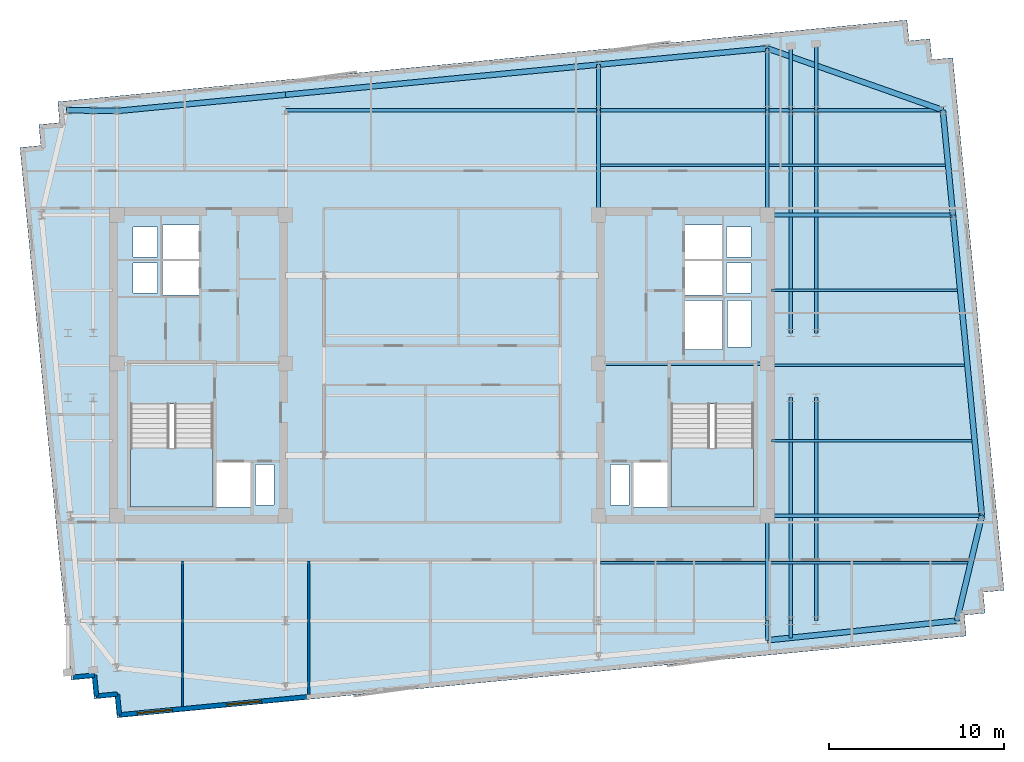
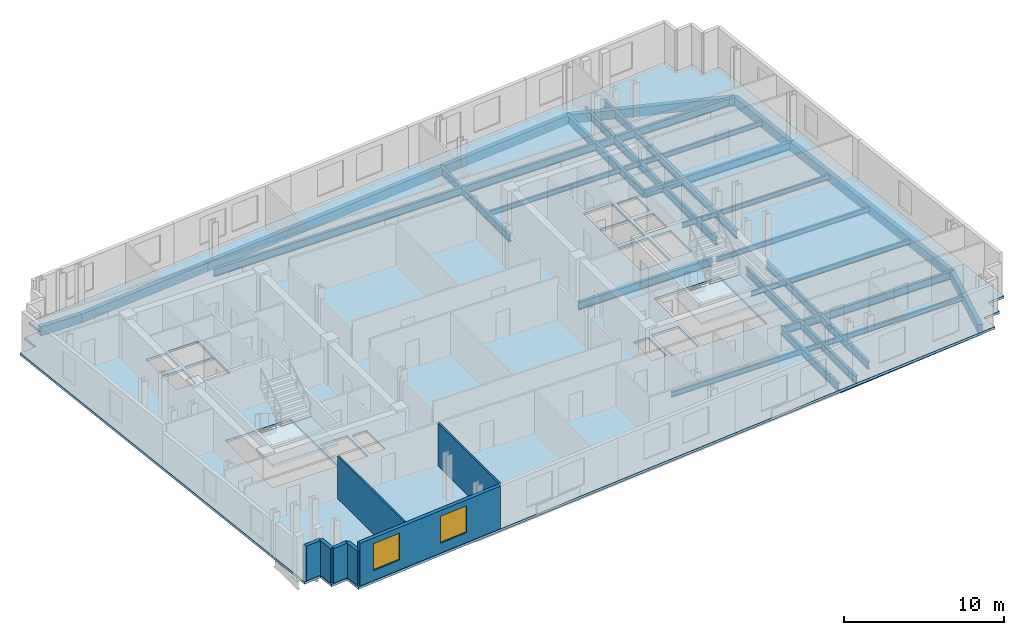
# One storey, part 2 of 9: 35 beams, 7 walls, 3 slabs, 2 windows, 2 openings, 2 elements without a shape of their own.
"""IFC4 building model written with IfcOpenShell, lengths in metres."""

from ifc_helpers import new_model, si_unit, direction, frame, frame_2d, origin, origin_2d, place, context, subcontext, project, spatial, polyline, rectangle, i_section, outline, extrude, material, layer, layer_set, material_profile, profile_set, type_object, element, fill, aggregate, save


model = new_model("IFC4")

# Units and contexts
model_context = context("Model", 3, precision=1e-05, world=origin(), true_north=direction((0.0, 1.0)))
body_context = subcontext(model_context, "Body", "Model", "MODEL_VIEW")
ifc_project = project(units=[si_unit("LENGTHUNIT", "METRE"), si_unit("AREAUNIT", "SQUARE_METRE"), si_unit("VOLUMEUNIT", "CUBIC_METRE"), si_unit("PLANEANGLEUNIT", "RADIAN"), si_unit("MASSUNIT", "GRAM", prefix="KILO")], contexts=[model_context])

# Site, building, storey
site_placement = place(None, origin())
site = spatial("IfcSite", under=ifc_project, at=site_placement, CompositionType="ELEMENT")
building_placement = place(site_placement, origin())
building = spatial("IfcBuilding", under=site, at=building_placement, Name="Velakula Bourse", CompositionType="ELEMENT")
storey_placement = place(building_placement, frame((0.0, 0.0, 268.949951171875)))
storey = spatial("IfcBuildingStorey", under=building, at=storey_placement, Name="L73", CompositionType="ELEMENT", Elevation=268.949951171875)

# Beams
ifc_material_1 = material(Name="Steel IS 2062 Grade 350 (E350)", Category="steel")
ifc_material_profile_1 = material_profile(ifc_material_1, i_section(OverallWidth=0.2099609375, OverallDepth=0.60009765625, WebThickness=0.011962890625, FlangeThickness=0.020751953125, at=origin_2d()), Name="Steel IS 2062 Grade 350 (E350)")
ifc_profile_set_1 = profile_set([ifc_material_profile_1], Name="Steel IS 2062 Grade 350 (E350)")
beam_type_1 = type_object("IfcBeamType", Name="BM-GRD-600L", PredefinedType="BEAM", material=ifc_profile_set_1)
beam_1_placement = place(storey_placement, frame((8.949951171875, 0.10009765625, -0.47998046875), z_axis=(1.0, 0.0, 0.0), x_axis=(0.0, 1.0, 0.0)))
element("IfcBeam", 1, at=beam_1_placement, inside=storey, type_object=beam_type_1, Name="L73 Primary Backbone Girder CRE-M", PredefinedType="BEAM", context=body_context, shape_type="SweptSolid", body=[
    extrude(i_section(OverallWidth=0.2099609375, OverallDepth=0.60009765625, WebThickness=0.011962890625, FlangeThickness=0.020751953125, at=origin_2d()), origin(), (0.0, 0.0, 1.0), 9.650146484375),
])
for number, where, z_axis, x_axis, name in (
    (2, (8.949951171875, 8.60009765625, -0.47998046875), (0.0, 1.0, 0.0), (-1.0, 0.0, 0.0), "L73 Fulcrum Grid Girder FLC-ECN"),
    (3, (18.60009765625, -14.60009765625, -0.47998046875), (0.0, 1.0, 0.0), (-1.0, 0.0, 0.0), "L73 Fulcrum Grid Girder FLC-ES"),
    (4, (18.60009765625, 8.60009765625, -0.47998046875), (0.0, 1.0, 0.0), (-1.0, 0.0, 0.0), "L73 Fulcrum Grid Girder FLC-EN"),
):
    element("IfcBeam", number, at=place(storey_placement, frame(where, z_axis=z_axis, x_axis=x_axis)), inside=storey, type_object=beam_type_1, Name=name, PredefinedType="BEAM", context=body_context, shape_type="SweptSolid", body=[
        extrude(i_section(OverallWidth=0.2099609375, OverallDepth=0.60009765625, WebThickness=0.011962890625, FlangeThickness=0.020751953125, at=origin_2d()), origin(), (0.0, 0.0, 1.0), 6.0),
    ])
beam_2_placement = place(storey_placement, frame((-8.949951171875, 14.60009765625, -0.47998046875), z_axis=(1.0, 0.0, 0.0), x_axis=(0.0, 1.0, 0.0)))
element("IfcBeam", 5, at=beam_2_placement, inside=storey, type_object=beam_type_1, Name="L73 Fulcrum Grid Girder FLC-N2", PredefinedType="BEAM", context=body_context, shape_type="SweptSolid", body=[
    extrude(i_section(OverallWidth=0.2099609375, OverallDepth=0.60009765625, WebThickness=0.011962890625, FlangeThickness=0.020751953125, at=origin_2d()), origin(), (0.0, 0.0, 1.0), 17.89990234375),
])
beam_3_placement = place(storey_placement, frame((8.949951171875, 14.60009765625, -0.47998046875), z_axis=(1.0, 0.0, 0.0), x_axis=(0.0, 1.0, 0.0)))
element("IfcBeam", 6, at=beam_3_placement, inside=storey, type_object=beam_type_1, Name="L73 Fulcrum Grid Girder FLC-N3", PredefinedType="BEAM", context=body_context, shape_type="SweptSolid", body=[
    extrude(i_section(OverallWidth=0.2099609375, OverallDepth=0.60009765625, WebThickness=0.011962890625, FlangeThickness=0.020751953125, at=origin_2d()), origin(), (0.0, 0.0, 1.0), 9.650146484375),
])
for number, where, z_axis, x_axis, name in (
    (7, (19.949951171875, -14.60009765625, -0.47998046875), (0.0, 1.0, 0.0), (-1.0, 0.0, 0.0), "L73 Fulcrum Grid Girder FLC-PSE1"),
    (8, (19.949951171875, 1.85009765625, -0.47998046875), (0.0, 1.0, 0.0), (-1.0, 0.0, 0.0), "L73 Fulcrum Grid Girder FLC-PNE1"),
    (9, (21.39990234375, -14.60009765625, -0.47998046875), (0.0, 1.0, 0.0), (-1.0, 0.0, 0.0), "L73 Fulcrum Grid Girder FLC-PSE2"),
    (10, (21.39990234375, 1.85009765625, -0.47998046875), (0.0, 1.0, 0.0), (-1.0, 0.0, 0.0), "L73 Fulcrum Grid Girder FLC-PNE2"),
):
    element("IfcBeam", number, at=place(storey_placement, frame(where, z_axis=z_axis, x_axis=x_axis)), inside=storey, type_object=beam_type_1, Name=name, PredefinedType="BEAM", context=body_context, shape_type="SweptSolid", body=[
        extrude(i_section(OverallWidth=0.2099609375, OverallDepth=0.60009765625, WebThickness=0.011962890625, FlangeThickness=0.020751953125, at=origin_2d()), origin(), (0.0, 0.0, 1.0), 12.75),
    ])
beam_4_placement = place(storey_placement, frame((18.60009765625, -14.60009765625, -0.47998046875), z_axis=(0.0, -1.0, 0.0), x_axis=(1.0, 0.0, 0.0)))
element("IfcBeam", 11, at=beam_4_placement, inside=storey, type_object=beam_type_1, Name="L73 Perimeter Tie Girder S4", PredefinedType="BEAM", context=body_context, shape_type="SweptSolid", body=[
    extrude(i_section(OverallWidth=0.2099609375, OverallDepth=0.60009765625, WebThickness=0.011962890625, FlangeThickness=0.020751953125, at=origin_2d()), origin(), (0.0, 0.0, 1.0), 1.1220703125),
])
beam_5_placement = place(storey_placement, frame((8.949951171875, 14.60009765625, -0.47998046875), z_axis=(0.0, 1.0, 0.0), x_axis=(-1.0, 0.0, 0.0)))
element("IfcBeam", 12, at=beam_5_placement, inside=storey, type_object=beam_type_1, Name="L73 Perimeter Tie Girder N3", PredefinedType="BEAM", context=body_context, shape_type="SweptSolid", body=[
    extrude(i_section(OverallWidth=0.2099609375, OverallDepth=0.60009765625, WebThickness=0.011962890625, FlangeThickness=0.020751953125, at=origin_2d()), origin(), (0.0, 0.0, 1.0), 2.6044921875),
])
beam_6_placement = place(storey_placement, frame((18.60009765625, 14.60009765625, -0.47998046875), z_axis=(0.0, 1.0, 0.0), x_axis=(-1.0, 0.0, 0.0)))
element("IfcBeam", 13, at=beam_6_placement, inside=storey, type_object=beam_type_1, Name="L73 Perimeter Tie Girder N4", PredefinedType="BEAM", context=body_context, shape_type="SweptSolid", body=[
    extrude(i_section(OverallWidth=0.2099609375, OverallDepth=0.60009765625, WebThickness=0.011962890625, FlangeThickness=0.020751953125, at=origin_2d()), origin(), (0.0, 0.0, 1.0), 3.53369140625),
])
beam_7_placement = place(storey_placement, frame((18.60009765625, -8.60009765625, -0.47998046875), z_axis=(1.0, 0.0, 0.0), x_axis=(0.0, 1.0, 0.0)))
element("IfcBeam", 14, at=beam_7_placement, inside=storey, type_object=beam_type_1, Name="L73 Perimeter Tie Girder E2", PredefinedType="BEAM", context=body_context, shape_type="SweptSolid", body=[
    extrude(i_section(OverallWidth=0.2099609375, OverallDepth=0.60009765625, WebThickness=0.011962890625, FlangeThickness=0.020751953125, at=origin_2d()), origin(), (0.0, 0.0, 1.0), 12.27880859375),
])
beam_8_placement = place(storey_placement, frame((18.60009765625, 8.60009765625, -0.47998046875), z_axis=(1.0, 0.0, 0.0), x_axis=(0.0, 1.0, 0.0)))
element("IfcBeam", 15, at=beam_8_placement, inside=storey, type_object=beam_type_1, Name="L73 Perimeter Tie Girder E3", PredefinedType="BEAM", context=body_context, shape_type="SweptSolid", body=[
    extrude(i_section(OverallWidth=0.2099609375, OverallDepth=0.60009765625, WebThickness=0.011962890625, FlangeThickness=0.020751953125, at=origin_2d()), origin(), (0.0, 0.0, 1.0), 10.62255859375),
])
beam_9_placement = place(storey_placement, frame((18.60009765625, 14.60009765625, -0.47998046875), z_axis=(1.0, 0.0, 0.0), x_axis=(0.0, 1.0, 0.0)))
element("IfcBeam", 16, at=beam_9_placement, inside=storey, type_object=beam_type_1, Name="L73 Perimeter Tie Girder E4", PredefinedType="BEAM", context=body_context, shape_type="SweptSolid", body=[
    extrude(i_section(OverallWidth=0.2099609375, OverallDepth=0.60009765625, WebThickness=0.011962890625, FlangeThickness=0.020751953125, at=origin_2d()), origin(), (0.0, 0.0, 1.0), 10.044921875),
])
beam_10_placement = place(storey_placement, frame((19.949951171875, -14.60009765625, -0.47998046875), z_axis=(0.0, -1.0, 0.0), x_axis=(1.0, 0.0, 0.0)))
element("IfcBeam", 17, at=beam_10_placement, inside=storey, type_object=beam_type_1, Name="L73 Perimeter Tie Girder P03", PredefinedType="BEAM", context=body_context, shape_type="SweptSolid", body=[
    extrude(i_section(OverallWidth=0.2099609375, OverallDepth=0.60009765625, WebThickness=0.011962890625, FlangeThickness=0.020751953125, at=origin_2d()), origin(), (0.0, 0.0, 1.0), 0.991943359375),
])
beam_11_placement = place(storey_placement, frame((19.949951171875, 14.60009765625, -0.47998046875), z_axis=(0.0, 1.0, 0.0), x_axis=(-1.0, 0.0, 0.0)))
element("IfcBeam", 18, at=beam_11_placement, inside=storey, type_object=beam_type_1, Name="L73 Perimeter Tie Girder P07", PredefinedType="BEAM", context=body_context, shape_type="SweptSolid", body=[
    extrude(i_section(OverallWidth=0.2099609375, OverallDepth=0.60009765625, WebThickness=0.011962890625, FlangeThickness=0.020751953125, at=origin_2d()), origin(), (0.0, 0.0, 1.0), 3.66357421875),
])
beam_12_placement = place(storey_placement, frame((21.39990234375, 14.60009765625, -0.47998046875), z_axis=(0.0, 1.0, 0.0), x_axis=(-1.0, 0.0, 0.0)))
element("IfcBeam", 19, at=beam_12_placement, inside=storey, type_object=beam_type_1, Name="L73 Perimeter Tie Girder P08", PredefinedType="BEAM", context=body_context, shape_type="SweptSolid", body=[
    extrude(i_section(OverallWidth=0.2099609375, OverallDepth=0.60009765625, WebThickness=0.011962890625, FlangeThickness=0.020751953125, at=origin_2d()), origin(), (0.0, 0.0, 1.0), 3.80322265625),
])
ifc_material_profile_2 = material_profile(ifc_material_1, i_section(OverallWidth=0.139892578125, OverallDepth=0.39990234375, WebThickness=0.0087890625, FlangeThickness=0.01611328125, at=origin_2d()), Name="Steel IS 2062 Grade 350 (E350)")
ifc_profile_set_2 = profile_set([ifc_material_profile_2], Name="Steel IS 2062 Grade 350 (E350)")
beam_type_2 = type_object("IfcBeamType", Name="JST-TWR-400", PredefinedType="JOIST", material=ifc_profile_set_2)
beam_13_placement = place(storey_placement, frame((9.054931640625, -11.300048828125, -0.3798828125), z_axis=(1.0, 0.0, 0.0), x_axis=(0.0, 1.0, 0.0)))
element("IfcBeam", 20, at=beam_13_placement, inside=storey, type_object=beam_type_2, Name="L73 Trading Floor Composite Joist 06", PredefinedType="JOIST", context=body_context, shape_type="SweptSolid", body=[
    extrude(i_section(OverallWidth=0.139892578125, OverallDepth=0.39990234375, WebThickness=0.0087890625, FlangeThickness=0.01611328125, at=origin_2d()), origin(), (0.0, 0.0, 1.0), 9.440185546875),
])
beam_14_placement = place(storey_placement, frame((18.705078125, -11.300048828125, -0.3798828125), z_axis=(1.0, 0.0, 0.0), x_axis=(0.0, 1.0, 0.0)))
element("IfcBeam", 21, at=beam_14_placement, inside=storey, type_object=beam_type_2, Name="L73 Trading Floor Composite Joist 07", PredefinedType="JOIST", context=body_context, shape_type="SweptSolid", body=[
    extrude(i_section(OverallWidth=0.139892578125, OverallDepth=0.39990234375, WebThickness=0.0087890625, FlangeThickness=0.01611328125, at=origin_2d()), origin(), (0.0, 0.0, 1.0), 11.364990234375),
])
beam_15_placement = place(storey_placement, frame((9.054931640625, 11.449951171875, -0.3798828125), z_axis=(1.0, 0.0, 0.0), x_axis=(0.0, 1.0, 0.0)))
element("IfcBeam", 22, at=beam_15_placement, inside=storey, type_object=beam_type_2, Name="L73 Trading Floor Composite Joist 11", PredefinedType="JOIST", context=body_context, shape_type="SweptSolid", body=[
    extrude(i_section(OverallWidth=0.139892578125, OverallDepth=0.39990234375, WebThickness=0.0087890625, FlangeThickness=0.01611328125, at=origin_2d()), origin(), (0.0, 0.0, 1.0), 9.440185546875),
])
beam_16_placement = place(storey_placement, frame((18.705078125, 11.449951171875, -0.3798828125), z_axis=(1.0, 0.0, 0.0), x_axis=(0.0, 1.0, 0.0)))
element("IfcBeam", 23, at=beam_16_placement, inside=storey, type_object=beam_type_2, Name="L73 Trading Floor Composite Joist 12", PredefinedType="JOIST", context=body_context, shape_type="SweptSolid", body=[
    extrude(i_section(OverallWidth=0.139892578125, OverallDepth=0.39990234375, WebThickness=0.0087890625, FlangeThickness=0.01611328125, at=origin_2d()), origin(), (0.0, 0.0, 1.0), 10.08251953125),
])
beam_17_placement = place(storey_placement, frame((18.85009765625, -4.300048828125, -0.3798828125), z_axis=(1.0, 0.0, 0.0), x_axis=(0.0, 1.0, 0.0)))
element("IfcBeam", 24, at=beam_17_placement, inside=storey, type_object=beam_type_2, Name="L73 Trading Floor Composite Joist 17", PredefinedType="JOIST", context=body_context, shape_type="SweptSolid", body=[
    extrude(i_section(OverallWidth=0.139892578125, OverallDepth=0.39990234375, WebThickness=0.0087890625, FlangeThickness=0.01611328125, at=origin_2d()), origin(), (0.0, 0.0, 1.0), 11.453857421875),
])
beam_18_placement = place(storey_placement, frame((18.85009765625, 0.0, -0.3798828125), z_axis=(1.0, 0.0, 0.0), x_axis=(0.0, 1.0, 0.0)))
element("IfcBeam", 25, at=beam_18_placement, inside=storey, type_object=beam_type_2, Name="L73 Trading Floor Composite Joist 19", PredefinedType="JOIST", context=body_context, shape_type="SweptSolid", body=[
    extrude(i_section(OverallWidth=0.139892578125, OverallDepth=0.39990234375, WebThickness=0.0087890625, FlangeThickness=0.01611328125, at=origin_2d()), origin(), (0.0, 0.0, 1.0), 11.039794921875),
])
beam_19_placement = place(storey_placement, frame((18.85009765625, 4.300048828125, -0.3798828125), z_axis=(1.0, 0.0, 0.0), x_axis=(0.0, 1.0, 0.0)))
element("IfcBeam", 26, at=beam_19_placement, inside=storey, type_object=beam_type_2, Name="L73 Trading Floor Composite Joist 21", PredefinedType="JOIST", context=body_context, shape_type="SweptSolid", body=[
    extrude(i_section(OverallWidth=0.139892578125, OverallDepth=0.39990234375, WebThickness=0.0087890625, FlangeThickness=0.01611328125, at=origin_2d()), origin(), (0.0, 0.0, 1.0), 10.6259765625),
])
ifc_material_2 = material(Name="Precast concrete M45 (fck 45 MPa)", Category="concrete")
ifc_material_profile_3 = material_profile(ifc_material_2, rectangle(XDim=0.320068359375, YDim=0.679931640625, at=origin_2d()), Name="Precast concrete M45 (fck 45 MPa)")
ifc_profile_set_3 = profile_set([ifc_material_profile_3], Name="Precast concrete M45 (fck 45 MPa)")
beam_type_3 = type_object("IfcBeamType", Name="SPN-BRICK-680", PredefinedType="SPANDREL", material=ifc_profile_set_3)
beam_20_placement = place(storey_placement, frame((-18.60009765625, 14.5517578125, -0.52001953125), z_axis=(0.99539623971, 0.095845323155, 0.0), x_axis=(-0.095845323155, 0.99539623971, 0.0)))
element("IfcBeam", 27, at=beam_20_placement, inside=storey, type_object=beam_type_3, Name="L73 Brick-Faced Precast Spandrel N1-N2", PredefinedType="SPANDREL", context=body_context, shape_type="SweptSolid", body=[
    extrude(rectangle(XDim=0.320068359375, YDim=0.679931640625, at=origin_2d()), origin(), (0.0, 0.0, 1.0), 9.69482421875),
])
beam_21_placement = place(storey_placement, frame((-8.949951171875, 15.48095703125, -0.52001953125), z_axis=(0.995395836254, 0.095849513134, 0.0), x_axis=(-0.095849513134, 0.995395836254, 0.0)))
element("IfcBeam", 28, at=beam_21_placement, inside=storey, type_object=beam_type_3, Name="L73 Brick-Faced Precast Spandrel N2-N3", PredefinedType="SPANDREL", context=body_context, shape_type="SweptSolid", body=[
    extrude(rectangle(XDim=0.320068359375, YDim=0.679931640625, at=origin_2d()), origin(), (0.0, 0.0, 1.0), 17.982666015625),
])
beam_22_placement = place(storey_placement, frame((8.949951171875, 17.20458984375, -0.52001953125), z_axis=(0.99539623971, 0.095845323155, 0.0), x_axis=(-0.095845323155, 0.99539623971, 0.0)))
element("IfcBeam", 29, at=beam_22_placement, inside=storey, type_object=beam_type_3, Name="L73 Brick-Faced Precast Spandrel N3-N4", PredefinedType="SPANDREL", context=body_context, shape_type="SweptSolid", body=[
    extrude(rectangle(XDim=0.320068359375, YDim=0.679931640625, at=origin_2d()), origin(), (0.0, 0.0, 1.0), 9.69482421875),
])
beam_23_placement = place(storey_placement, frame((29.447265625, -14.60009765625, -0.52001953125), z_axis=(0.232091371601, 0.972693988482, 0.0), x_axis=(-0.972693988482, 0.232091371601, 0.0)))
element("IfcBeam", 30, at=beam_23_placement, inside=storey, type_object=beam_type_3, Name="L73 Brick-Faced Precast Spandrel E1-E2", PredefinedType="SPANDREL", context=body_context, shape_type="SweptSolid", body=[
    extrude(rectangle(XDim=0.320068359375, YDim=0.679931640625, at=origin_2d()), origin(), (0.0, 0.0, 1.0), 6.16845703125),
])
beam_24_placement = place(storey_placement, frame((30.87890625, -8.60009765625, -0.52001953125), z_axis=(-0.095849167925, 0.995395869495, 0.0), x_axis=(-0.995395869495, -0.095849167925, 0.0)))
element("IfcBeam", 31, at=beam_24_placement, inside=storey, type_object=beam_type_3, Name="L73 Brick-Faced Precast Spandrel E2-E3", PredefinedType="SPANDREL", context=body_context, shape_type="SweptSolid", body=[
    extrude(rectangle(XDim=0.320068359375, YDim=0.679931640625, at=origin_2d()), origin(), (0.0, 0.0, 1.0), 17.27978515625),
])
beam_25_placement = place(storey_placement, frame((29.22265625, 8.60009765625, -0.52001953125), z_axis=(-0.095829714309, 0.995397742541, 0.0), x_axis=(-0.995397742541, -0.095829714309, 0.0)))
element("IfcBeam", 32, at=beam_25_placement, inside=storey, type_object=beam_type_3, Name="L73 Brick-Faced Precast Spandrel E3-E4", PredefinedType="SPANDREL", context=body_context, shape_type="SweptSolid", body=[
    extrude(rectangle(XDim=0.320068359375, YDim=0.679931640625, at=origin_2d()), origin(), (0.0, 0.0, 1.0), 6.02783203125),
])
beam_26_placement = place(storey_placement, frame((18.60009765625, -15.72216796875, -0.52001953125), z_axis=(0.994692267912, 0.102894568159, 0.0), x_axis=(-0.102894568159, 0.994692267912, 0.0)))
element("IfcBeam", 33, at=beam_26_placement, inside=storey, type_object=beam_type_3, Name="L73 Brick-Faced Precast Spandrel S4-E1", PredefinedType="SPANDREL", context=body_context, shape_type="SweptSolid", body=[
    extrude(rectangle(XDim=0.320068359375, YDim=0.679931640625, at=origin_2d()), origin(), (0.0, 0.0, 1.0), 10.905029296875),
])
beam_27_placement = place(storey_placement, frame((28.64501953125, 14.60009765625, -0.52001953125), z_axis=(-0.943331000058, 0.331853317491, 0.0), x_axis=(-0.331853317491, -0.943331000058, 0.0)))
element("IfcBeam", 34, at=beam_27_placement, inside=storey, type_object=beam_type_3, Name="L73 Brick-Faced Precast Spandrel E4-N4", PredefinedType="SPANDREL", context=body_context, shape_type="SweptSolid", body=[
    extrude(rectangle(XDim=0.320068359375, YDim=0.679931640625, at=origin_2d()), origin(), (0.0, 0.0, 1.0), 10.6484375),
])
beam_28_placement = place(storey_placement, frame((-18.60009765625, 14.5517578125, -0.52001953125), z_axis=(-0.999859727013, 0.016748919285, 0.0), x_axis=(-0.016748919285, -0.999859727013, 0.0)))
element("IfcBeam", 35, at=beam_28_placement, inside=storey, type_object=beam_type_3, Name="L73 Brick-Faced Precast Spandrel N1-W4", PredefinedType="SPANDREL", context=body_context, shape_type="SweptSolid", body=[
    extrude(rectangle(XDim=0.320068359375, YDim=0.679931640625, at=origin_2d()), origin(), (0.0, 0.0, 1.0), 2.88623046875),
])

# Stair, slab
ifc_material_3 = material(Name="Concrete M45 (fck 45 MPa)", Category="concrete")
stair_type = type_object("IfcStairType", Name="STR-DOG-390", PredefinedType="HALF_TURN_STAIR", material=ifc_material_3)
stair_1_placement = place(storey_placement, origin())
stair_1 = element("IfcStair", 36, at=stair_1_placement, inside=storey, type_object=stair_type, Name="L73 West Core Exit Stair ST-W1", PredefinedType="HALF_TURN_STAIR")
ifc_layer_1 = layer(ifc_material_3, 0.199951171875, Name="Concrete M45 (fck 45 MPa)", Category="concrete")
ifc_layer_set_1 = layer_set([ifc_layer_1], Name="Concrete M45 (fck 45 MPa)")
slab_type_1 = type_object("IfcSlabType", Name="SLB-STAIR-LND-200", PredefinedType="LANDING", material=ifc_layer_set_1)
slab_1_placement = place(storey_placement, frame((0.0, 0.0, 1.525146484375)))
slab_1 = element("IfcSlab", 37, at=slab_1_placement, type_object=slab_type_1, Name="ST-W1 landing 1", PredefinedType="LANDING", context=body_context, shape_type="SweptSolid", body=[
    extrude(outline(polyline([(-17.820068359375, -4.719970703125), (-17.820068359375, -8.10009765625), (-13.10009765625, -8.10009765625), (-13.10009765625, -4.719970703125), (-17.820068359375, -4.719970703125)])), origin(), (0.0, 0.0, 1.0), 0.199951171875),
])
aggregate(stair_1, [slab_1])

stair_2_placement = place(storey_placement, origin())
stair_2 = element("IfcStair", 38, at=stair_2_placement, inside=storey, type_object=stair_type, Name="L73 East Core Exit Stair ST-E1", PredefinedType="HALF_TURN_STAIR")
slab_2_placement = place(storey_placement, frame((0.0, 0.0, 1.525146484375)))
slab_2 = element("IfcSlab", 39, at=slab_2_placement, type_object=slab_type_1, Name="ST-E1 landing 1", PredefinedType="LANDING", context=body_context, shape_type="SweptSolid", body=[
    extrude(outline(polyline([(13.10009765625, -4.719970703125), (13.10009765625, -8.10009765625), (17.820068359375, -8.10009765625), (17.820068359375, -4.719970703125), (13.10009765625, -4.719970703125)])), origin(), (0.0, 0.0, 1.0), 0.199951171875),
])
aggregate(stair_2, [slab_2])

# Slab
ifc_material_4 = material(Name="Concrete M50 (fck 50 MPa)", Category="concrete")
ifc_layer_2 = layer(ifc_material_4, 0.179931640625, Name="Concrete M50 (fck 50 MPa)", Category="concrete")
ifc_layer_set_2 = layer_set([ifc_layer_2], Name="Concrete M50 (fck 50 MPa)")
slab_type_2 = type_object("IfcSlabType", Name="SLB-TWR-180", PredefinedType="FLOOR", material=ifc_layer_set_2)
slab_3_placement = place(storey_placement, frame((0.0, 0.0, -0.179931640625)))
element("IfcSlab", 40, at=slab_3_placement, inside=storey, type_object=slab_type_2, Name="L73 Suspended Structural Floor Slab", PredefinedType="FLOOR", context=body_context, shape_type="SweptSolid", body=[
    extrude(outline(polyline([(-18.59130859375, -20.1572265625), (29.984130859375, -15.47998046875), (29.869140625, -14.285400390625), (31.0634765625, -14.17041015625), (30.948486328125, -12.975830078125), (32.14306640625, -12.86083984375), (29.210205078125, 17.59814453125), (28.015625, 17.483154296875), (27.900634765625, 18.677734375), (26.706298828125, 18.562744140625), (26.59130859375, 19.757080078125), (-21.984130859375, 15.079833984375), (-21.869140625, 13.885498046875), (-23.0634765625, 13.7705078125), (-22.948486328125, 12.575927734375), (-24.14306640625, 12.4609375), (-21.210205078125, -17.998291015625), (-20.015625, -17.88330078125), (-19.900634765625, -19.07763671875), (-18.706298828125, -18.962646484375), (-18.59130859375, -20.1572265625)]), holes=[polyline([(-17.820068359375, -8.10009765625), (-13.10009765625, -8.10009765625), (-13.10009765625, -2.199951171875), (-17.820068359375, -2.199951171875), (-17.820068359375, -8.10009765625)]), polyline([(13.10009765625, -8.10009765625), (17.820068359375, -8.10009765625), (17.820068359375, -2.199951171875), (13.10009765625, -2.199951171875), (13.10009765625, -8.10009765625)]), polyline([(-12.89990234375, -8.10009765625), (-10.949951171875, -8.10009765625), (-10.949951171875, -5.550048828125), (-12.89990234375, -5.550048828125), (-12.89990234375, -8.10009765625)]), polyline([(10.949951171875, -8.10009765625), (12.89990234375, -8.10009765625), (12.89990234375, -5.550048828125), (10.949951171875, -5.550048828125), (10.949951171875, -8.10009765625)]), polyline([(13.89990234375, 0.919921875), (16.050048828125, 0.919921875), (16.050048828125, 3.719970703125), (13.89990234375, 3.719970703125), (13.89990234375, 0.919921875)]), polyline([(-10.679931640625, -7.97998046875), (-9.6201171875, -7.97998046875), (-9.6201171875, -5.669921875), (-10.679931640625, -5.669921875), (-10.679931640625, -7.97998046875)]), polyline([(-17.679931640625, 4.139892578125), (-16.27001953125, 4.139892578125), (-16.27001953125, 5.85009765625), (-17.679931640625, 5.85009765625), (-17.679931640625, 4.139892578125)]), polyline([(-17.679931640625, 6.2099609375), (-16.27001953125, 6.2099609375), (-16.27001953125, 7.919921875), (-17.679931640625, 7.919921875), (-17.679931640625, 6.2099609375)]), polyline([(9.6201171875, -7.97998046875), (10.679931640625, -7.97998046875), (10.679931640625, -5.669921875), (9.6201171875, -5.669921875), (9.6201171875, -7.97998046875)]), polyline([(16.27001953125, 4.139892578125), (17.679931640625, 4.139892578125), (17.679931640625, 5.85009765625), (16.27001953125, 5.85009765625), (16.27001953125, 4.139892578125)]), polyline([(16.27001953125, 6.2099609375), (17.679931640625, 6.2099609375), (17.679931640625, 7.919921875), (16.27001953125, 7.919921875), (16.27001953125, 6.2099609375)]), polyline([(16.320068359375, 1.0400390625), (17.679931640625, 1.0400390625), (17.679931640625, 3.699951171875), (16.320068359375, 3.699951171875), (16.320068359375, 1.0400390625)]), polyline([(-16.0, 4.02001953125), (-13.89990234375, 4.02001953125), (-13.89990234375, 5.969970703125), (-16.0, 5.969970703125), (-16.0, 4.02001953125)]), polyline([(-16.0, 6.090087890625), (-13.89990234375, 6.090087890625), (-13.89990234375, 8.0400390625), (-16.0, 8.0400390625), (-16.0, 6.090087890625)]), polyline([(13.89990234375, 4.02001953125), (16.0, 4.02001953125), (16.0, 5.969970703125), (13.89990234375, 5.969970703125), (13.89990234375, 4.02001953125)]), polyline([(13.89990234375, 6.090087890625), (16.0, 6.090087890625), (16.0, 8.0400390625), (13.89990234375, 8.0400390625), (13.89990234375, 6.090087890625)])]), origin(), (0.0, 0.0, 1.0), 0.179931640625),
])

# Wall, openings, windows
ifc_material_5 = material(Name="Buff kilned clay facing brick masonry", Category="masonry")
ifc_layer_3 = layer(ifc_material_5, 0.260009765625, Name="Buff kilned clay facing brick masonry", Category="masonry")
ifc_layer_set_3 = layer_set([ifc_layer_3], Name="Buff kilned clay facing brick masonry")
wall_type_1 = type_object("IfcWallType", Name="WL-EXT-BRK-260", PredefinedType="STANDARD", material=ifc_layer_set_3)
wall_1_placement = place(storey_placement, frame((-7.755859375, -18.963134765625, 0.0), z_axis=(0.0, 0.0, 1.0), x_axis=(-0.995396745868, -0.095840066339, 0.0)))
wall_1 = element("IfcWall", 41, at=wall_1_placement, inside=storey, type_object=wall_type_1, Name="L73 S Brick Spandrel Wall B1", PredefinedType="STANDARD", context=body_context, shape_type="SweptSolid", body=[
    extrude(rectangle(XDim=10.75, YDim=0.260009765625, at=frame_2d((5.375, 0.0))), origin(), (0.0, 0.0, 1.0), 3.25),
])
opening_1_placement = place(wall_1_placement, frame((2.583251953125, 0.0, 0.760009765625)))
opening_1 = element("IfcOpeningElement", 42, at=opening_1_placement, cuts=wall_1, Name="Opening W-05", PredefinedType="OPENING", context=body_context, shape_type="SweptSolid", body=[
    extrude(rectangle(XDim=2.0, YDim=2.050048828125, at=frame_2d((1.0, 1.02490234375))), frame((0.0, 0.139892578125, 0.0), z_axis=(0.0, -1.0, 0.0), x_axis=(1.0, 0.0, 0.0)), (0.0, 0.0, 1.0), 0.280029296875),
])
opening_2_placement = place(wall_1_placement, frame((7.716796875, 0.0, 0.760009765625)))
opening_2 = element("IfcOpeningElement", 43, at=opening_2_placement, cuts=wall_1, Name="Opening W-05", PredefinedType="OPENING", context=body_context, shape_type="SweptSolid", body=[
    extrude(rectangle(XDim=2.0, YDim=2.050048828125, at=frame_2d((1.0, 1.02490234375))), frame((0.0, 0.139892578125, 0.0), z_axis=(0.0, -1.0, 0.0), x_axis=(1.0, 0.0, 0.0)), (0.0, 0.0, 1.0), 0.280029296875),
])
ifc_material_6 = material(Name="Double-glazed solar-control Low-E glass", Category="glass")
window_type = type_object("IfcWindowType", Name="WIN-TWR-2000x2200", PartitioningType="DOUBLE_PANEL_VERTICAL", PredefinedType="WINDOW", material=ifc_material_6)
window_1_placement = place(opening_1_placement, origin())
window_1 = element("IfcWindow", 44, at=window_1_placement, inside=storey, type_object=window_type, Name="L73 Deep-Set Recessed Window 1", OverallHeight=2.050048828125, OverallWidth=2.0, PartitioningType="DOUBLE_PANEL_VERTICAL", PredefinedType="WINDOW", context=body_context, shape_type="SweptSolid", body=[
    extrude(rectangle(XDim=2.0, YDim=2.050048828125, at=frame_2d((1.0, 1.02490234375))), frame((0.0, 0.030029296875, 0.0), z_axis=(0.0, -1.0, 0.0), x_axis=(1.0, 0.0, 0.0)), (0.0, 0.0, 1.0), 0.06005859375),
])
fill(opening_1, window_1)
window_2_placement = place(opening_2_placement, origin())
window_2 = element("IfcWindow", 45, at=window_2_placement, inside=storey, type_object=window_type, Name="L73 Deep-Set Recessed Window 2", OverallHeight=2.050048828125, OverallWidth=2.0, PartitioningType="DOUBLE_PANEL_VERTICAL", PredefinedType="WINDOW", context=body_context, shape_type="SweptSolid", body=[
    extrude(rectangle(XDim=2.0, YDim=2.050048828125, at=frame_2d((1.0, 1.02490234375))), frame((0.0, 0.030029296875, 0.0), z_axis=(0.0, -1.0, 0.0), x_axis=(1.0, 0.0, 0.0)), (0.0, 0.0, 1.0), 0.06005859375),
])
fill(opening_2, window_2)

# Walls
wall_2_placement = place(storey_placement, frame((-21.0751953125, -17.83447265625, 0.0), z_axis=(0.0, 0.0, 1.0), x_axis=(0.995397091755, 0.095836473879, 0.0)))
element("IfcWall", 46, at=wall_2_placement, inside=storey, type_object=wall_type_1, Name="L73 Serrated Corner Brick Wall SW-1", PredefinedType="STANDARD", context=body_context, shape_type="SweptSolid", body=[
    extrude(rectangle(XDim=1.199951171875, YDim=0.260009765625, at=frame_2d((0.60009765625, 0.0))), origin(), (0.0, 0.0, 1.0), 2.64501953125),
])
for number, where, z_axis, x_axis, name in (
    (47, (-19.880859375, -17.719482421875, 0.0), (0.0, 0.0, 1.0), (0.095817067274, -0.995398960025, 0.0), "L73 Serrated Corner Brick Wall SW-2"),
    (48, (-19.765869140625, -18.9140625, 0.0), (0.0, 0.0, 1.0), (0.995398960025, 0.095817067274, 0.0), "L73 Serrated Corner Brick Wall SW-3"),
):
    element("IfcWall", number, at=place(storey_placement, frame(where, z_axis=z_axis, x_axis=x_axis)), inside=storey, type_object=wall_type_1, Name=name, PredefinedType="STANDARD", context=body_context, shape_type="SweptSolid", body=[
        extrude(rectangle(XDim=1.2001953125, YDim=0.260009765625, at=frame_2d((0.60009765625, 0.0))), origin(), (0.0, 0.0, 1.0), 2.64501953125),
    ])
wall_3_placement = place(storey_placement, frame((-18.5712890625, -18.799072265625, 0.0), z_axis=(0.0, 0.0, 1.0), x_axis=(0.095836473879, -0.995397091755, 0.0)))
element("IfcWall", 49, at=wall_3_placement, inside=storey, type_object=wall_type_1, Name="L73 Serrated Corner Brick Wall SW-4", PredefinedType="STANDARD", context=body_context, shape_type="SweptSolid", body=[
    extrude(rectangle(XDim=1.199951171875, YDim=0.260009765625, at=frame_2d((0.60009765625, 0.0))), origin(), (0.0, 0.0, 1.0), 2.64501953125),
])
ifc_material_7 = material(Name="Fire-rated double-layer gypsum drywall partition", Category="gypsum")
ifc_layer_4 = layer(ifc_material_7, 0.1201171875, Name="Fire-rated double-layer gypsum drywall partition", Category="gypsum")
ifc_layer_set_4 = layer_set([ifc_layer_4], Name="Fire-rated double-layer gypsum drywall partition")
wall_type_2 = type_object("IfcWallType", Name="WL-PART-120", PredefinedType="STANDARD", material=ifc_layer_set_4)
wall_4_placement = place(storey_placement, frame((-14.843017578125, -19.514892578125, 0.0), z_axis=(0.0, 0.0, 1.0), x_axis=(0.0, 1.0, 0.0)))
element("IfcWall", 50, at=wall_4_placement, inside=storey, type_object=wall_type_2, Name="L73 Interior Partition WL-INT-L73-SL-D5", PredefinedType="STANDARD", context=body_context, shape_type="SweptSolid", body=[
    extrude(rectangle(XDim=8.324951171875, YDim=0.1201171875, at=frame_2d((4.16259765625, 0.0))), origin(), (0.0, 0.0, 1.0), 3.25),
])
wall_5_placement = place(storey_placement, frame((-7.6279296875, -18.8203125, 0.0), z_axis=(0.0, 0.0, 1.0), x_axis=(0.0, 1.0, 0.0)))
element("IfcWall", 51, at=wall_5_placement, inside=storey, type_object=wall_type_2, Name="L73 Interior Partition WL-INT-L73-SL-D6", PredefinedType="STANDARD", context=body_context, shape_type="SweptSolid", body=[
    extrude(rectangle(XDim=7.63037109375, YDim=0.1201171875, at=frame_2d((3.815185546875, 0.0))), origin(), (0.0, 0.0, 1.0), 3.25),
])

save(model, "model.ifc")
